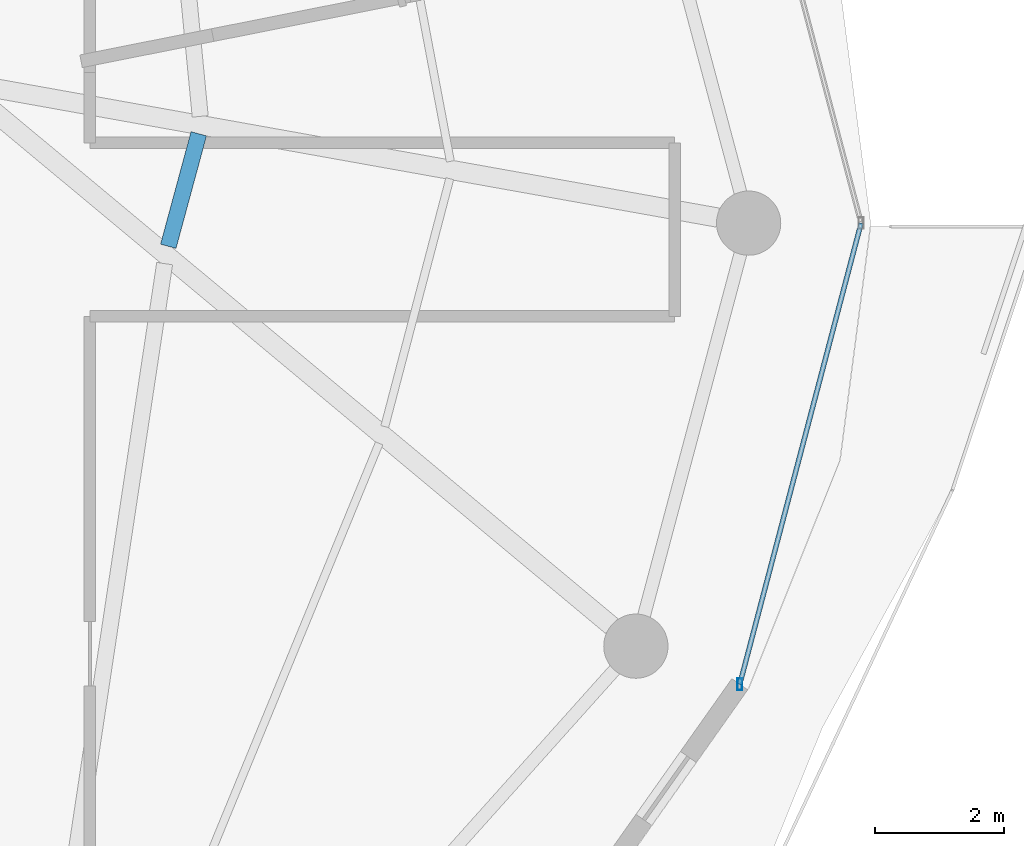
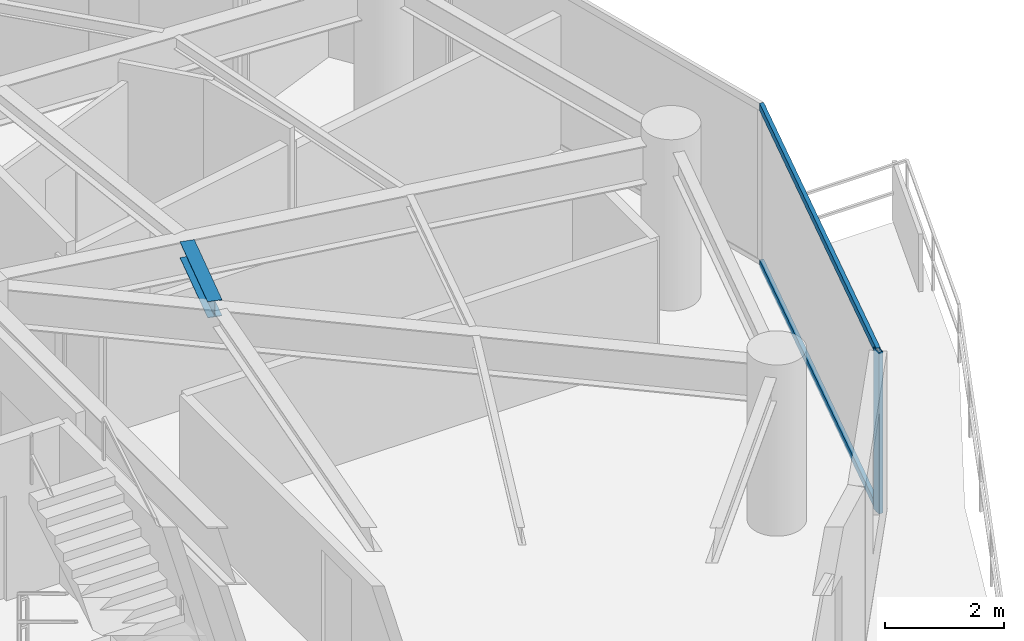
# One storey, part 12 of 29: 3 members, 1 beam, 1 element without a shape of its own.
"""IFC4 building model written with IfcOpenShell, lengths in metres."""

import ifcopenshell
import ifcopenshell.guid

model = None  # the IFC model being written
_history = None  # IfcOwnerHistory: only IFC2X3 demands one
_inside = {}  # id of a spatial element -> (the spatial element, [elements in it])
_under = {}  # id of a project, library or spatial element -> (it, [spatial elements below it])
_declared = {}  # id of a project -> (the project, [libraries it declares])
_typed = {}  # id of a type object -> (the type object, [elements of that type])
_made_of = {}  # id of a material, layer set ... -> (it, [elements and type objects made of it])


def new_model(schema):
    """Start an empty IFC model of exactly this schema.

    Asked for "IFC4X3", IfcOpenShell would pick the latest addendum, in which some entities
    have other attributes; the version numbers below select the first issue.
    IFC2X3 requires an IfcOwnerHistory on every rooted entity: one is made here for all.
    """
    global model, _history
    if schema == "IFC4X3":
        model = ifcopenshell.file(schema_version=(4, 3, 0, 0))
    else:
        model = ifcopenshell.file(schema=schema)
    _inside.clear()
    _under.clear()
    _declared.clear()
    _typed.clear()
    _made_of.clear()
    _history = None
    if model.schema == "IFC2X3":
        org = make("IfcOrganization", Name="unknown")
        user = make(
            "IfcPersonAndOrganization",
            ThePerson=make("IfcPerson", FamilyName="unknown"),
            TheOrganization=org,
        )
        app = make(
            "IfcApplication",
            ApplicationDeveloper=org,
            Version="unknown",
            ApplicationFullName="unknown",
            ApplicationIdentifier="unknown",
        )
        _history = make(
            "IfcOwnerHistory",
            OwningUser=user,
            OwningApplication=app,
            ChangeAction="ADDED",
            CreationDate=0,
        )
    return model


def make(cls, **values):
    """One entity of the class cls with the attributes given. An attribute that is None is left unset."""
    return model.create_entity(
        cls, **{name: value for name, value in values.items() if value is not None}
    )


def rooted(cls, **values):
    """An entity with a GlobalId (a new one), such as an element, a storey or a relation."""
    return make(cls, GlobalId=ifcopenshell.guid.new(), OwnerHistory=_history, **values)


def si_unit(unit_type, name, prefix=None):
    """IfcSIUnit, for example si_unit("LENGTHUNIT", "METRE", prefix="MILLI")."""
    return make("IfcSIUnit", UnitType=unit_type, Prefix=prefix, Name=name)


def assignment(units):
    """IfcUnitAssignment: the units of a project."""
    return None if units is None else make("IfcUnitAssignment", Units=units)


def point(xyz):
    """IfcCartesianPoint."""
    return None if xyz is None else make("IfcCartesianPoint", Coordinates=xyz)


def direction(xyz):
    """IfcDirection."""
    return None if xyz is None else make("IfcDirection", DirectionRatios=xyz)


def frame(location, z_axis=None, x_axis=None):
    """IfcAxis2Placement3D, a coordinate frame: its origin and axes. An axis left out is left unset."""
    return make(
        "IfcAxis2Placement3D",
        Location=point(location),
        Axis=direction(z_axis),
        RefDirection=direction(x_axis),
    )


def frame_2d(location, x_axis=None):
    """IfcAxis2Placement2D, a coordinate frame in the plane: its origin and x axis."""
    return make(
        "IfcAxis2Placement2D", Location=point(location), RefDirection=direction(x_axis)
    )


def origin():
    """The frame at (0, 0, 0) with its axes left unset."""
    return frame((0.0, 0.0, 0.0))


def origin_2d():
    """The frame at (0, 0) in the plane with its x axis left unset."""
    return frame_2d((0.0, 0.0))


def place(relative_to, where):
    """IfcLocalPlacement: puts the frame where relative to a parent placement (None: the world)."""
    return make(
        "IfcLocalPlacement", PlacementRelTo=relative_to, RelativePlacement=where
    )


def context(
    kind, dimensions, precision=None, world=None, true_north=None, identifier=None
):
    """IfcGeometricRepresentationContext, for example the 3D "Model" context."""
    return make(
        "IfcGeometricRepresentationContext",
        ContextIdentifier=identifier,
        ContextType=kind,
        CoordinateSpaceDimension=dimensions,
        Precision=precision,
        WorldCoordinateSystem=world,
        TrueNorth=true_north,
    )


def subcontext(parent, identifier, kind, view, scale=None):
    """IfcGeometricRepresentationSubContext, for example "Body" below "Model"."""
    return make(
        "IfcGeometricRepresentationSubContext",
        ContextIdentifier=identifier,
        ContextType=kind,
        ParentContext=parent,
        TargetScale=scale,
        TargetView=view,
    )


def project(units=None, contexts=None):
    """IfcProject with its units and contexts."""
    return rooted(
        "IfcProject",
        Name="project",
        RepresentationContexts=contexts,
        UnitsInContext=assignment(units),
    )


def spatial(cls, under=None, at=None, **own):
    """A site, building, storey or space (cls), placed at a placement, below another one or the project."""
    s = rooted(cls, ObjectPlacement=at, **own)
    if under is not None:
        _under.setdefault(under.id(), (under, []))[1].append(s)
    return s


def profile(cls, at=None, kind="AREA", **sizes):
    """A parametric profile (cls). Its sizes go by their IFC names, for example OverallWidth=200.0."""
    return make(cls, ProfileType=kind, Position=at, **sizes)


def hollow_rectangle(**sizes):
    """IfcRectangleHollowProfileDef."""
    return profile("IfcRectangleHollowProfileDef", **sizes)


def i_section(**sizes):
    """IfcIShapeProfileDef."""
    return profile("IfcIShapeProfileDef", **sizes)


def extrude(swept, where, along, depth):
    """IfcExtrudedAreaSolid: the profile swept, set in the frame where, extruded along a direction by depth."""
    return make(
        "IfcExtrudedAreaSolid",
        SweptArea=swept,
        Position=where,
        ExtrudedDirection=direction(along),
        Depth=depth,
    )


def shape(context_of_items, identifier, shape_type, items):
    """IfcShapeRepresentation: the items that make up one representation, for example the "Body"."""
    return make(
        "IfcShapeRepresentation",
        ContextOfItems=context_of_items,
        RepresentationIdentifier=identifier,
        RepresentationType=shape_type,
        Items=items,
    )


def material(Name=None, Category=None):
    """IfcMaterial."""
    return make("IfcMaterial", Name=Name, Category=Category)


def material_profile(
    of_material, cross_section, Name=None, Category=None, Priority=None
):
    """IfcMaterialProfile: a cross section and its material."""
    return make(
        "IfcMaterialProfile",
        Name=Name,
        Material=of_material,
        Profile=cross_section,
        Priority=Priority,
        Category=Category,
    )


def profile_set(profiles, Name=None, composite=None):
    """IfcMaterialProfileSet."""
    return make(
        "IfcMaterialProfileSet",
        Name=Name,
        MaterialProfiles=profiles,
        CompositeProfile=composite,
    )


def made_of(thing, what):
    """Note that an element or type object is made of a material, layer set ...; save() writes the relation."""
    if what is not None:
        _made_of.setdefault(what.id(), (what, []))[1].append(thing)
    return thing


def type_object(cls, material=None, **own):
    """A type object (cls), such as IfcWallType, which elements share."""
    return made_of(rooted(cls, **own), material)


def element(
    cls,
    number,
    at=None,
    inside=None,
    cuts=None,
    type_object=None,
    material=None,
    context=None,
    identifier="Body",
    shape_type=None,
    held_by="IfcProductDefinitionShape",
    body=None,
    shapes=None,
    **own,
):
    """One element of the class cls, such as IfcWall. Its Tag is "e" and its number.

    at: its placement. inside: the storey or other place that contains it. cuts: it is an
    opening in that element (IfcRelVoidsElement). A single representation is given by context,
    identifier, shape_type and body (its items); several are given by shapes. held_by: the class
    of the entity that holds the representations. save() writes the other relations.
    """
    e = rooted(cls, Tag="e%d" % number, ObjectPlacement=at, **own)
    if body is not None:
        shapes = [shape(context, identifier, shape_type, body)]
    if shapes is not None:
        e.Representation = make(held_by, Representations=shapes)
    if inside is not None:
        _inside.setdefault(inside.id(), (inside, []))[1].append(e)
    if cuts is not None:
        rooted(
            "IfcRelVoidsElement", RelatingBuildingElement=cuts, RelatedOpeningElement=e
        )
    if type_object is not None:
        _typed.setdefault(type_object.id(), (type_object, []))[1].append(e)
    return made_of(e, material)


def aggregate(whole, parts):
    """IfcRelAggregates: a whole, such as a stair, and the parts it consists of."""
    return rooted("IfcRelAggregates", RelatingObject=whole, RelatedObjects=parts)


def save(model, path):
    """Write the relations noted so far, then the file.

    IfcRelAggregates (storeys below a building ...), IfcRelContainedInSpatialStructure (elements
    in a storey), IfcRelDefinesByType, IfcRelAssociatesMaterial and IfcRelDeclares: one each for
    every whole, place, type object, material and project.
    """
    for whole, parts in _under.values():
        aggregate(whole, parts)
    for where, things in _inside.values():
        rooted(
            "IfcRelContainedInSpatialStructure",
            RelatedElements=things,
            RelatingStructure=where,
        )
    for kind, things in _typed.values():
        rooted("IfcRelDefinesByType", RelatedObjects=things, RelatingType=kind)
    for what, things in _made_of.values():
        rooted("IfcRelAssociatesMaterial", RelatedObjects=things, RelatingMaterial=what)
    for by, libraries in _declared.values():
        rooted("IfcRelDeclares", RelatingContext=by, RelatedDefinitions=libraries)
    model.write(path)


model = new_model("IFC4")

# Units and contexts
model_context = context("Model", 3, precision=1e-05, world=origin(), true_north=direction((0.0, 1.0)))
body_context = subcontext(model_context, "Body", "Model", "MODEL_VIEW")
ifc_project = project(units=[si_unit("LENGTHUNIT", "METRE"), si_unit("AREAUNIT", "SQUARE_METRE"), si_unit("VOLUMEUNIT", "CUBIC_METRE"), si_unit("PLANEANGLEUNIT", "RADIAN"), si_unit("MASSUNIT", "GRAM", prefix="KILO")], contexts=[model_context])

# Site, building, storey
site_placement = place(None, origin())
site = spatial("IfcSite", under=ifc_project, at=site_placement, CompositionType="ELEMENT")
building_placement = place(site_placement, origin())
building = spatial("IfcBuilding", under=site, at=building_placement, Name="Vorneva Point Tower", CompositionType="ELEMENT")
storey_placement = place(building_placement, frame((0.0, 0.0, 150.10009765625)))
storey = spatial("IfcBuildingStorey", under=building, at=storey_placement, Name="L40", CompositionType="ELEMENT", Elevation=150.10009765625)

# Beam
ifc_material_1 = material(Name="Steel S355", Category="steel")
ifc_material_profile_1 = material_profile(ifc_material_1, i_section(OverallWidth=0.2490234375, OverallDepth=0.333984375, WebThickness=0.008056640625, FlangeThickness=0.010986328125, at=origin_2d()), Name="35Sh1")
ifc_profile_set_1 = profile_set([ifc_material_profile_1], Name="Steel S355")
beam_type = type_object("IfcBeamType", Name="BM-SEC-35Sh1", PredefinedType="BEAM", material=ifc_profile_set_1)
beam_placement = place(storey_placement, frame((52.02001953125, 25.639892578125, 3.072998046875), z_axis=(0.261397187655, 0.965231324754, 0.0), x_axis=(-0.965231324754, 0.261397187655, 0.0)))
element("IfcBeam", 1, at=beam_placement, inside=storey, type_object=beam_type, Name="L40 Secondary Floor Beam 2.16", PredefinedType="BEAM", context=body_context, shape_type="SweptSolid", body=[
    extrude(i_section(OverallWidth=0.2490234375, OverallDepth=0.333984375, WebThickness=0.008056640625, FlangeThickness=0.010986328125, at=origin_2d()), origin(), (0.0, 0.0, 1.0), 1.813720703125),
])

# Curtain wall, members
ifc_material_2 = material(Name="Pale anodised aluminium", Category="aluminium")
curtain_wall_type = type_object("IfcCurtainWallType", Name="CW-RES-SYS", PredefinedType="NOTDEFINED", material=ifc_material_2)
curtain_wall_placement = place(storey_placement, origin())
curtain_wall = element("IfcCurtainWall", 2, at=curtain_wall_placement, inside=storey, type_object=curtain_wall_type, Name="L40 Unitised Curtain Wall CW-L40-R01", PredefinedType="NOTDEFINED")
ifc_material_profile_2 = material_profile(ifc_material_2, hollow_rectangle(XDim=0.074951171875, YDim=0.179931640625, WallThickness=0.00390625, at=origin_2d()), Name="AL-MUL 180x75x4")
ifc_profile_set_2 = profile_set([ifc_material_profile_2], Name="Pale anodised aluminium")
member_type_1 = type_object("IfcMemberType", Name="CW-MUL-180", PredefinedType="MULLION", material=ifc_profile_set_2)
member_1_placement = place(storey_placement, frame((60.912109375, 18.82470703125, -0.0400390625), z_axis=(0.0, 0.0, 1.0), x_axis=(1.0, 0.0, 0.0)))
member_1 = element("IfcMember", 3, at=member_1_placement, type_object=member_type_1, Name="CW-L40-R01 Mullion 01", PredefinedType="MULLION", context=body_context, shape_type="SweptSolid", body=[
    extrude(hollow_rectangle(XDim=0.074951171875, YDim=0.179931640625, WallThickness=0.00390625, at=origin_2d()), origin(), (0.0, 0.0, 1.0), 3.31005859375),
])
ifc_material_profile_3 = material_profile(ifc_material_2, hollow_rectangle(XDim=0.074951171875, YDim=0.14990234375, WallThickness=0.00390625, at=origin_2d()), Name="AL-TRN 150x75x4")
ifc_profile_set_3 = profile_set([ifc_material_profile_3], Name="Pale anodised aluminium")
member_type_2 = type_object("IfcMemberType", Name="CW-TRN-150", PredefinedType="USERDEFINED", material=ifc_profile_set_3)
member_2_placement = place(storey_placement, frame((60.912109375, 18.82470703125, 0.02001953125), z_axis=(0.254456046293, 0.967084339913, 0.0), x_axis=(-0.967084339913, 0.254456046293, 0.0)))
member_2 = element("IfcMember", 4, at=member_2_placement, type_object=member_type_2, Name="CW-L40-R01 Transom 01.1", ObjectType="TRANSOM", PredefinedType="USERDEFINED", context=body_context, shape_type="SweptSolid", body=[
    extrude(hollow_rectangle(XDim=0.074951171875, YDim=0.14990234375, WallThickness=0.00390625, at=origin_2d()), origin(), (0.0, 0.0, 1.0), 7.41943359375),
])
member_3_placement = place(storey_placement, frame((60.912109375, 18.82470703125, 3.219970703125), z_axis=(0.254456046293, 0.967084339913, 0.0), x_axis=(-0.967084339913, 0.254456046293, 0.0)))
member_3 = element("IfcMember", 5, at=member_3_placement, type_object=member_type_2, Name="CW-L40-R01 Transom 01.2", ObjectType="TRANSOM", PredefinedType="USERDEFINED", context=body_context, shape_type="SweptSolid", body=[
    extrude(hollow_rectangle(XDim=0.074951171875, YDim=0.14990234375, WallThickness=0.00390625, at=origin_2d()), origin(), (0.0, 0.0, 1.0), 7.41943359375),
])
aggregate(curtain_wall, [member_1, member_2, member_3])

save(model, "model.ifc")
